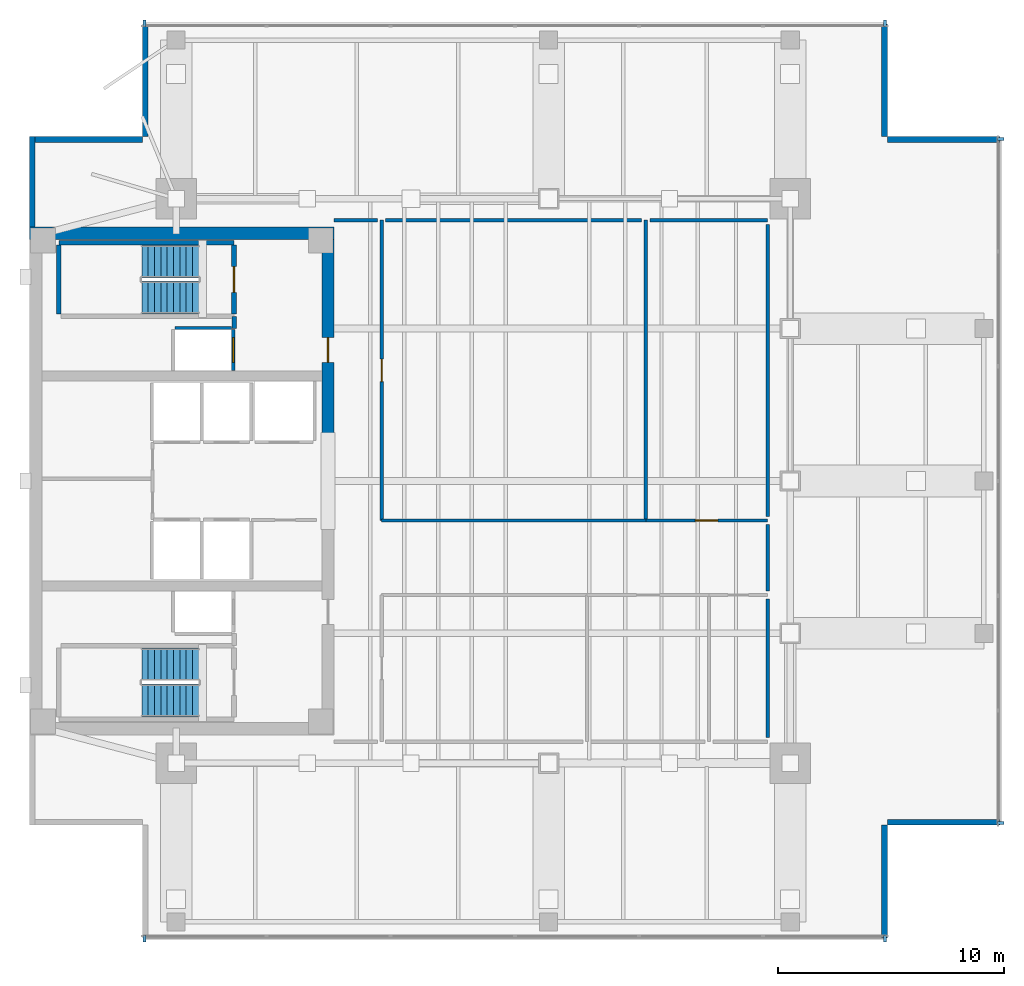
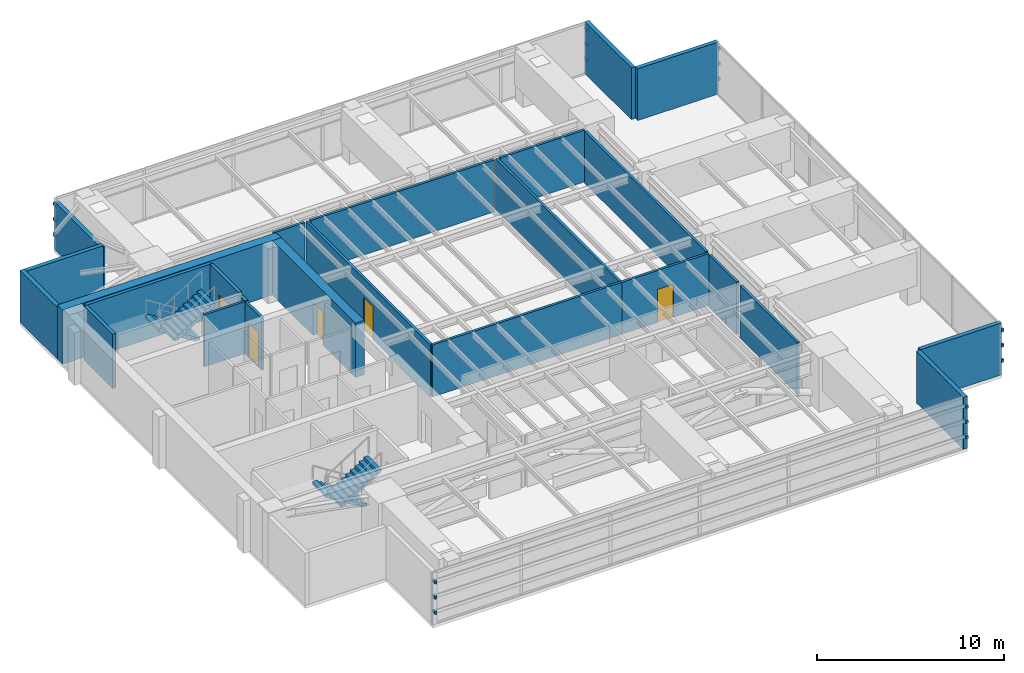
# One storey, part 9 of 13: 25 walls, 18 discrete accessories, 5 doors, 4 stair flights, 5 openings, 2 elements without a shape of their own.
"""IFC4 building model written with IfcOpenShell, lengths in metres."""

from ifc_helpers import new_model, si_unit, direction, frame, frame_2d, origin, origin_2d, place, context, subcontext, project, spatial, polyline, rectangle, outline, extrude, material, layer, layer_set, type_object, element, fill, aggregate, save


model = new_model("IFC4")

# Units and contexts
model_context = context("Model", 3, precision=1e-05, world=origin(), true_north=direction((0.0, 1.0)))
body_context = subcontext(model_context, "Body", "Model", "MODEL_VIEW")
ifc_project = project(units=[si_unit("LENGTHUNIT", "METRE"), si_unit("AREAUNIT", "SQUARE_METRE"), si_unit("VOLUMEUNIT", "CUBIC_METRE"), si_unit("PLANEANGLEUNIT", "RADIAN"), si_unit("MASSUNIT", "GRAM", prefix="KILO")], contexts=[model_context])

# Site, building, storey
site_placement = place(None, origin())
site = spatial("IfcSite", under=ifc_project, at=site_placement, CompositionType="ELEMENT")
building_placement = place(site_placement, origin())
building = spatial("IfcBuilding", under=site, at=building_placement, Name="Kinhvarn Gate Tower", CompositionType="ELEMENT")
storey_placement = place(building_placement, frame((0.0, 0.0, 241.300048828125)))
storey = spatial("IfcBuildingStorey", under=building, at=storey_placement, Name="L64", CompositionType="ELEMENT", Elevation=241.300048828125)

# Wall
ifc_material_1 = material(Name="Concrete C60/75", Category="concrete")
ifc_layer_1 = layer(ifc_material_1, 0.550048828125)
ifc_layer_set_1 = layer_set([ifc_layer_1], Name="Concrete C60/75")
wall_type_1 = type_object("IfcWallType", Name="WL-CORE-550", PredefinedType="SHEAR", material=ifc_layer_set_1)
wall_1_placement = place(storey_placement, frame((4.5, 36.22509765625, 0.0), z_axis=(0.0, 0.0, 1.0), x_axis=(1.0, 0.0, 0.0)))
element("IfcWall", 1, at=wall_1_placement, inside=storey, type_object=wall_type_1, Name="Core North Shear Wall L64 550 mm", PredefinedType="SHEAR", context=body_context, shape_type="SweptSolid", body=[
    extrude(rectangle(XDim=13.5, YDim=0.550048828125, at=frame_2d((6.75, 0.0))), origin(), (0.0, 0.0, 1.0), 3.550048828125),
])

# Wall, opening, door
wall_2_placement = place(storey_placement, frame((17.72509765625, 27.050048828125, 0.0), z_axis=(0.0, 0.0, 1.0), x_axis=(0.0, 1.0, 0.0)))
wall_2 = element("IfcWall", 2, at=wall_2_placement, inside=storey, type_object=wall_type_1, Name="Core East-North Shear Pier L64 550 mm", PredefinedType="SHEAR", context=body_context, shape_type="SweptSolid", body=[
    extrude(rectangle(XDim=8.89990234375, YDim=0.550048828125, at=frame_2d((4.449951171875, 0.0))), origin(), (0.0, 0.0, 1.0), 3.550048828125),
])
opening_1_placement = place(wall_2_placement, frame((3.449951171875, 0.0, 0.0)))
opening_1 = element("IfcOpeningElement", 3, at=opening_1_placement, cuts=wall_2, Name="Opening FD-02", PredefinedType="OPENING", context=body_context, shape_type="SweptSolid", body=[
    extrude(rectangle(XDim=1.10009765625, YDim=2.14990234375, at=frame_2d((0.550048828125, 1.074951171875))), frame((0.0, 0.28515625, 0.0), z_axis=(0.0, -1.0, 0.0), x_axis=(1.0, 0.0, 0.0)), (0.0, 0.0, 1.0), 0.570068359375),
])
ifc_material_2 = material(Name="Anodised aluminium AW-6063", Category="aluminium")
door_type_1 = type_object("IfcDoorType", Name="DR-FD-1100", OperationType="NOTDEFINED", PredefinedType="DOOR", material=ifc_material_2)
door_1_placement = place(opening_1_placement, origin())
door_1 = element("IfcDoor", 4, at=door_1_placement, inside=storey, type_object=door_type_1, Name="Firefighting Lobby Core Door (L64)", OperationType="SINGLE_SWING_LEFT", OverallHeight=2.14990234375, OverallWidth=1.10009765625, PredefinedType="DOOR", context=body_context, shape_type="SweptSolid", body=[
    extrude(rectangle(XDim=1.10009765625, YDim=2.14990234375, at=frame_2d((0.550048828125, 1.074951171875))), frame((0.0, 0.02490234375, 0.0), z_axis=(0.0, -1.0, 0.0), x_axis=(1.0, 0.0, 0.0)), (0.0, 0.0, 1.0), 0.050048828125),
])
fill(opening_1, door_1)

# Walls
ifc_material_3 = material(Name="Fired architectural terracotta", Category="masonry")
ifc_layer_2 = layer(ifc_material_3, 0.25)
ifc_layer_set_2 = layer_set([ifc_layer_2], Name="Fired architectural terracotta")
wall_type_2 = type_object("IfcWallType", Name="WL-EXT-250", PredefinedType="SOLIDWALL", material=ifc_layer_set_2)
wall_3_placement = place(storey_placement, frame((4.625, 40.5, 0.0), z_axis=(0.0, 0.0, 1.0), x_axis=(0.0, -1.0, 0.0)))
element("IfcWall", 5, at=wall_3_placement, inside=storey, type_object=wall_type_2, Name="Exterior Solidwall Wall EW-250 (L64 West-North)", PredefinedType="SOLIDWALL", context=body_context, shape_type="SweptSolid", body=[
    extrude(rectangle(XDim=4.0, YDim=0.25, at=frame_2d((2.0, 0.0))), origin(), (0.0, 0.0, 1.0), 3.389892578125),
])
for number, where, z_axis, x_axis, name in (
    (6, (42.375, 5.0, 0.0), (0.0, 0.0, 1.0), (0.0, 1.0, 0.0), "Exterior Solidwall Wall EW-250 (L64 SE-Notch-1)"),
    (7, (42.5, 10.125, 0.0), (0.0, 0.0, 1.0), (1.0, 0.0, 0.0), "Exterior Solidwall Wall EW-250 (L64 SE-Notch-2)"),
    (8, (47.5, 40.375, 0.0), (0.0, 0.0, 1.0), (-1.0, 0.0, 0.0), "Exterior Solidwall Wall EW-250 (L64 NE-Notch-1)"),
    (9, (42.375, 40.5, 0.0), (0.0, 0.0, 1.0), (0.0, 1.0, 0.0), "Exterior Solidwall Wall EW-250 (L64 NE-Notch-2)"),
):
    element("IfcWall", number, at=place(storey_placement, frame(where, z_axis=z_axis, x_axis=x_axis)), inside=storey, type_object=wall_type_2, Name=name, PredefinedType="SOLIDWALL", context=body_context, shape_type="SweptSolid", body=[
        extrude(rectangle(XDim=5.0, YDim=0.25, at=frame_2d((2.5, 0.0))), origin(), (0.0, 0.0, 1.0), 3.389892578125),
    ])
wall_4_placement = place(storey_placement, frame((9.625, 45.5, 0.0), z_axis=(0.0, 0.0, 1.0), x_axis=(0.0, -1.0, 0.0)))
element("IfcWall", 10, at=wall_4_placement, inside=storey, type_object=wall_type_2, Name="Exterior Solidwall Wall EW-250 (L64 NW-Notch-1)", PredefinedType="SOLIDWALL", context=body_context, shape_type="SweptSolid", body=[
    extrude(rectangle(XDim=5.0, YDim=0.25, at=frame_2d((2.5, 0.0))), origin(), (0.0, 0.0, 1.0), 3.08984375),
])
wall_5_placement = place(storey_placement, frame((9.5, 40.375, 0.0), z_axis=(0.0, 0.0, 1.0), x_axis=(-1.0, 0.0, 0.0)))
element("IfcWall", 11, at=wall_5_placement, inside=storey, type_object=wall_type_2, Name="Exterior Solidwall Wall EW-250 (L64 NW-Notch-2)", PredefinedType="SOLIDWALL", context=body_context, shape_type="SweptSolid", body=[
    extrude(rectangle(XDim=5.0, YDim=0.25, at=frame_2d((2.5, 0.0))), origin(), (0.0, 0.0, 1.0), 3.389892578125),
])

# Wall, opening, door
ifc_material_4 = material(Name="Gypsum acoustic partition board")
ifc_layer_3 = layer(ifc_material_4, 0.14990234375)
ifc_layer_set_3 = layer_set([ifc_layer_3], Name="Gypsum acoustic partition board")
wall_type_3 = type_object("IfcWallType", Name="WL-PRT-150F", PredefinedType="PARTITIONING", material=ifc_layer_set_3)
wall_6_placement = place(storey_placement, frame((20.10009765625, 23.5, 0.0), z_axis=(0.0, 0.0, 1.0), x_axis=(0.0, 1.0, 0.0)))
wall_6 = element("IfcWall", 12, at=wall_6_placement, inside=storey, type_object=wall_type_3, Name="Interior Partition PW-150F (L64)", PredefinedType="PARTITIONING", context=body_context, shape_type="SweptSolid", body=[
    extrude(rectangle(XDim=13.300048828125, YDim=0.14990234375, at=frame_2d((6.64990234375, 0.0))), origin(), (0.0, 0.0, 1.0), 3.389892578125),
])
opening_2_placement = place(wall_6_placement, frame((6.14990234375, 0.0, 0.0)))
opening_2 = element("IfcOpeningElement", 13, at=opening_2_placement, cuts=wall_6, Name="Opening FD-03", PredefinedType="OPENING", context=body_context, shape_type="SweptSolid", body=[
    extrude(rectangle(XDim=1.0, YDim=2.14990234375, at=frame_2d((0.5, 1.074951171875))), frame((0.0, 0.0849609375, 0.0), z_axis=(0.0, -1.0, 0.0), x_axis=(1.0, 0.0, 0.0)), (0.0, 0.0, 1.0), 0.169921875),
])
door_type_2 = type_object("IfcDoorType", Name="DR-FD-1000", OperationType="NOTDEFINED", PredefinedType="DOOR", material=ifc_material_2)
door_2_placement = place(opening_2_placement, origin())
door_2 = element("IfcDoor", 14, at=door_2_placement, inside=storey, type_object=door_type_2, Name="Rated Plant & Corridor Fire Door 1000x2150 mm (L64)", OperationType="SINGLE_SWING_RIGHT", OverallHeight=2.14990234375, OverallWidth=1.0, PredefinedType="DOOR", context=body_context, shape_type="SweptSolid", body=[
    extrude(rectangle(XDim=1.0, YDim=2.14990234375, at=frame_2d((0.5, 1.074951171875))), frame((0.0, 0.02490234375, 0.0), z_axis=(0.0, -1.0, 0.0), x_axis=(1.0, 0.0, 0.0)), (0.0, 0.0, 1.0), 0.050048828125),
])
fill(opening_2, door_2)

wall_7_placement = place(storey_placement, frame((31.800048828125, 23.5, 0.0), z_axis=(0.0, 0.0, 1.0), x_axis=(1.0, 0.0, 0.0)))
wall_7 = element("IfcWall", 15, at=wall_7_placement, inside=storey, type_object=wall_type_3, Name="Interior Partition PW-150F (L64)", PredefinedType="PARTITIONING", context=body_context, shape_type="SweptSolid", body=[
    extrude(rectangle(XDim=5.39990234375, YDim=0.14990234375, at=frame_2d((2.699951171875, 0.0))), origin(), (0.0, 0.0, 1.0), 3.389892578125),
])
opening_3_placement = place(wall_7_placement, frame((2.199951171875, 0.0, 0.0)))
opening_3 = element("IfcOpeningElement", 16, at=opening_3_placement, cuts=wall_7, Name="Opening FD-03", PredefinedType="OPENING", context=body_context, shape_type="SweptSolid", body=[
    extrude(rectangle(XDim=1.0, YDim=2.14990234375, at=frame_2d((0.5, 1.074951171875))), frame((0.0, 0.0849609375, 0.0), z_axis=(0.0, -1.0, 0.0), x_axis=(1.0, 0.0, 0.0)), (0.0, 0.0, 1.0), 0.169921875),
])
door_3_placement = place(opening_3_placement, origin())
door_3 = element("IfcDoor", 17, at=door_3_placement, inside=storey, type_object=door_type_2, Name="Rated Plant & Corridor Fire Door 1000x2150 mm (L64)", OperationType="SINGLE_SWING_LEFT", OverallHeight=2.14990234375, OverallWidth=1.0, PredefinedType="DOOR", context=body_context, shape_type="SweptSolid", body=[
    extrude(rectangle(XDim=1.0, YDim=2.14990234375, at=frame_2d((0.5, 1.074951171875))), frame((0.0, 0.02490234375, 0.0), z_axis=(0.0, -1.0, 0.0), x_axis=(1.0, 0.0, 0.0)), (0.0, 0.0, 1.0), 0.050048828125),
])
fill(opening_3, door_3)

# Walls
wall_8_placement = place(storey_placement, frame((20.10009765625, 23.5, 0.0), z_axis=(0.0, 0.0, 1.0), x_axis=(1.0, 0.0, 0.0)))
element("IfcWall", 18, at=wall_8_placement, inside=storey, type_object=wall_type_3, Name="Interior Partition PW-150F (L64)", PredefinedType="PARTITIONING", context=body_context, shape_type="SweptSolid", body=[
    extrude(rectangle(XDim=11.699951171875, YDim=0.14990234375, at=frame_2d((5.85009765625, 0.0))), origin(), (0.0, 0.0, 1.0), 3.389892578125),
])
wall_9_placement = place(storey_placement, frame((31.800048828125, 23.5, 0.0), z_axis=(0.0, 0.0, 1.0), x_axis=(0.0, 1.0, 0.0)))
element("IfcWall", 19, at=wall_9_placement, inside=storey, type_object=wall_type_3, Name="Interior Partition PW-150F (L64)", PredefinedType="PARTITIONING", context=body_context, shape_type="SweptSolid", body=[
    extrude(rectangle(XDim=13.300048828125, YDim=0.14990234375, at=frame_2d((6.64990234375, 0.0))), origin(), (0.0, 0.0, 1.0), 3.389892578125),
])
wall_10_placement = place(storey_placement, frame((18.0, 36.800048828125, 0.0), z_axis=(0.0, 0.0, 1.0), x_axis=(1.0, 0.0, 0.0)))
element("IfcWall", 20, at=wall_10_placement, inside=storey, type_object=wall_type_3, Name="Interior Partition PW-150F (L64)", PredefinedType="PARTITIONING", context=body_context, shape_type="SweptSolid", body=[
    extrude(rectangle(XDim=1.919921875, YDim=0.14990234375, at=frame_2d((0.9599609375, 0.0))), origin(), (0.0, 0.0, 1.0), 3.389892578125),
])
wall_11_placement = place(storey_placement, frame((20.280029296875, 36.800048828125, 0.0), z_axis=(0.0, 0.0, 1.0), x_axis=(1.0, 0.0, 0.0)))
element("IfcWall", 21, at=wall_11_placement, inside=storey, type_object=wall_type_3, Name="Interior Partition PW-150F (L64)", PredefinedType="PARTITIONING", context=body_context, shape_type="SweptSolid", body=[
    extrude(rectangle(XDim=11.340087890625, YDim=0.14990234375, at=frame_2d((5.669921875, 0.0))), origin(), (0.0, 0.0, 1.0), 3.389892578125),
])
wall_12_placement = place(storey_placement, frame((31.97998046875, 36.800048828125, 0.0), z_axis=(0.0, 0.0, 1.0), x_axis=(1.0, 0.0, 0.0)))
element("IfcWall", 22, at=wall_12_placement, inside=storey, type_object=wall_type_3, Name="Interior Partition PW-150F (L64)", PredefinedType="PARTITIONING", context=body_context, shape_type="SweptSolid", body=[
    extrude(rectangle(XDim=5.219970703125, YDim=0.14990234375, at=frame_2d((2.60986328125, 0.0))), origin(), (0.0, 0.0, 1.0), 3.389892578125),
])
wall_13_placement = place(storey_placement, frame((37.199951171875, 36.6201171875, 0.0), z_axis=(0.0, 0.0, 1.0), x_axis=(0.0, -1.0, 0.0)))
element("IfcWall", 23, at=wall_13_placement, inside=storey, type_object=wall_type_3, Name="Interior Partition PW-150F (L64)", PredefinedType="PARTITIONING", context=body_context, shape_type="SweptSolid", body=[
    extrude(rectangle(XDim=12.940185546875, YDim=0.14990234375, at=frame_2d((6.47021484375, 0.0))), origin(), (0.0, 0.0, 1.0), 3.389892578125),
])
wall_14_placement = place(storey_placement, frame((37.199951171875, 23.320068359375, 0.0), z_axis=(0.0, 0.0, 1.0), x_axis=(0.0, -1.0, 0.0)))
element("IfcWall", 24, at=wall_14_placement, inside=storey, type_object=wall_type_3, Name="Interior Partition PW-150F (L64)", PredefinedType="PARTITIONING", context=body_context, shape_type="SweptSolid", body=[
    extrude(rectangle(XDim=2.940185546875, YDim=0.14990234375, at=frame_2d((1.47021484375, 0.0))), origin(), (0.0, 0.0, 1.0), 3.389892578125),
])
wall_15_placement = place(storey_placement, frame((37.199951171875, 20.02001953125, 0.0), z_axis=(0.0, 0.0, 1.0), x_axis=(0.0, -1.0, 0.0)))
element("IfcWall", 25, at=wall_15_placement, inside=storey, type_object=wall_type_3, Name="Interior Partition PW-150F (L64)", PredefinedType="PARTITIONING", context=body_context, shape_type="SweptSolid", body=[
    extrude(rectangle(XDim=6.14013671875, YDim=0.14990234375, at=frame_2d((3.070068359375, 0.0))), origin(), (0.0, 0.0, 1.0), 3.389892578125),
])
ifc_layer_4 = layer(ifc_material_4, 0.199951171875)
ifc_layer_set_4 = layer_set([ifc_layer_4], Name="Gypsum acoustic partition board")
wall_type_4 = type_object("IfcWallType", Name="WL-PRT-200", PredefinedType="PARTITIONING", material=ifc_layer_set_4)
wall_16_placement = place(storey_placement, frame((13.580078125, 32.0, 0.0), z_axis=(0.0, 0.0, 1.0), x_axis=(0.0, 1.0, 0.0)))
element("IfcWall", 26, at=wall_16_placement, inside=storey, type_object=wall_type_4, Name="Interior Partition PW-200 (L64)", PredefinedType="PARTITIONING", context=body_context, shape_type="SweptSolid", body=[
    extrude(rectangle(XDim=0.5400390625, YDim=0.199951171875, at=frame_2d((0.27001953125, 0.0))), origin(), (0.0, 0.0, 1.0), 3.389892578125),
])
ifc_layer_5 = layer(ifc_material_4, 0.14990234375)
ifc_layer_set_5 = layer_set([ifc_layer_5], Name="Gypsum acoustic partition board")
wall_type_5 = type_object("IfcWallType", Name="WL-SHF-150", PredefinedType="PARTITIONING", material=ifc_layer_set_5)
wall_17_placement = place(storey_placement, frame((10.949951171875, 32.02490234375, 0.0), z_axis=(0.0, 0.0, 1.0), x_axis=(1.0, 0.0, 0.0)))
element("IfcWall", 27, at=wall_17_placement, inside=storey, type_object=wall_type_5, Name="Elevator FF2 Hoistway Wall N (L64)", PredefinedType="PARTITIONING", context=body_context, shape_type="SweptSolid", body=[
    extrude(rectangle(XDim=2.5, YDim=0.14990234375, at=frame_2d((1.25, 0.0))), origin(), (0.0, 0.0, 1.0), 3.389892578125),
])

# Wall, opening, door
wall_18_placement = place(storey_placement, frame((13.52490234375, 30.14990234375, 0.0), z_axis=(0.0, 0.0, 1.0), x_axis=(0.0, 1.0, 0.0)))
wall_18 = element("IfcWall", 28, at=wall_18_placement, inside=storey, type_object=wall_type_5, Name="Elevator FF2 Landing Wall (L64)", PredefinedType="PARTITIONING", context=body_context, shape_type="SweptSolid", body=[
    extrude(rectangle(XDim=1.800048828125, YDim=0.14990234375, at=frame_2d((0.89990234375, 0.0))), origin(), (0.0, 0.0, 1.0), 3.389892578125),
])
opening_4_placement = place(wall_18_placement, frame((0.35009765625, 0.0, 0.0)))
opening_4 = element("IfcOpeningElement", 29, at=opening_4_placement, cuts=wall_18, Name="Opening LD-03", PredefinedType="OPENING", context=body_context, shape_type="SweptSolid", body=[
    extrude(rectangle(XDim=1.10009765625, YDim=2.199951171875, at=frame_2d((0.550048828125, 1.10009765625))), frame((0.0, 0.0849609375, 0.0), z_axis=(0.0, -1.0, 0.0), x_axis=(1.0, 0.0, 0.0)), (0.0, 0.0, 1.0), 0.169921875),
])
door_type_3 = type_object("IfcDoorType", Name="DR-LND-FF", OperationType="NOTDEFINED", PredefinedType="DOOR", material=ifc_material_2)
door_4_placement = place(opening_4_placement, origin())
door_4 = element("IfcDoor", 30, at=door_4_placement, inside=storey, type_object=door_type_3, Name="Elevator FF2 Sliding Landing Door (L64)", OperationType="DOUBLE_DOOR_SLIDING", OverallHeight=2.199951171875, OverallWidth=1.10009765625, PredefinedType="DOOR", context=body_context, shape_type="SweptSolid", body=[
    extrude(rectangle(XDim=1.10009765625, YDim=2.199951171875, at=frame_2d((0.550048828125, 1.10009765625))), frame((0.0, 0.02490234375, 0.0), z_axis=(0.0, -1.0, 0.0), x_axis=(1.0, 0.0, 0.0)), (0.0, 0.0, 1.0), 0.050048828125),
])
fill(opening_4, door_4)

# Walls
ifc_material_5 = material(Name="Concrete C40/50", Category="concrete")
ifc_layer_6 = layer(ifc_material_5, 0.199951171875)
ifc_layer_set_6 = layer_set([ifc_layer_6], Name="Concrete C40/50")
wall_type_6 = type_object("IfcWallType", Name="WL-SHF-200", PredefinedType="SOLIDWALL", material=ifc_layer_set_6)
wall_19_placement = place(storey_placement, frame((5.800048828125, 35.800048828125, 0.0), z_axis=(0.0, 0.0, 1.0), x_axis=(1.0, 0.0, 0.0)))
element("IfcWall", 31, at=wall_19_placement, inside=storey, type_object=wall_type_6, Name="Stair ST2 North Shaft Wall (L64)", PredefinedType="SOLIDWALL", context=body_context, shape_type="SweptSolid", body=[
    extrude(rectangle(XDim=7.75, YDim=0.199951171875, at=frame_2d((3.875, 0.0))), origin(), (0.0, 0.0, 1.0), 3.550048828125),
])
wall_20_placement = place(storey_placement, frame((5.7900390625, 32.64990234375, 0.0), z_axis=(0.0, 0.0, 1.0), x_axis=(0.0, 1.0, 0.0)))
element("IfcWall", 32, at=wall_20_placement, inside=storey, type_object=wall_type_6, Name="Stair ST2 West Shaft Wall (L64)", PredefinedType="SOLIDWALL", context=body_context, shape_type="SweptSolid", body=[
    extrude(rectangle(XDim=3.050048828125, YDim=0.199951171875, at=frame_2d((1.52490234375, 0.0))), origin(), (0.0, 0.0, 1.0), 3.550048828125),
])

# Wall, opening, door
wall_21_placement = place(storey_placement, frame((13.56005859375, 32.64990234375, 0.0), z_axis=(0.0, 0.0, 1.0), x_axis=(0.0, 1.0, 0.0)))
wall_21 = element("IfcWall", 33, at=wall_21_placement, inside=storey, type_object=wall_type_6, Name="Stair ST2 East Entry Wall (L64)", PredefinedType="SOLIDWALL", context=body_context, shape_type="SweptSolid", body=[
    extrude(rectangle(XDim=3.050048828125, YDim=0.199951171875, at=frame_2d((1.52490234375, 0.0))), origin(), (0.0, 0.0, 1.0), 3.550048828125),
])
opening_5_placement = place(wall_21_placement, frame((0.949951171875, 0.0, 0.0)))
opening_5 = element("IfcOpeningElement", 34, at=opening_5_placement, cuts=wall_21, Name="Opening FD-01", PredefinedType="OPENING", context=body_context, shape_type="SweptSolid", body=[
    extrude(rectangle(XDim=1.14990234375, YDim=2.14990234375, at=frame_2d((0.574951171875, 1.074951171875))), frame((0.0, 0.10986328125, 0.0), z_axis=(0.0, -1.0, 0.0), x_axis=(1.0, 0.0, 0.0)), (0.0, 0.0, 1.0), 0.219970703125),
])
door_type_4 = type_object("IfcDoorType", Name="DR-ST-1150", OperationType="NOTDEFINED", PredefinedType="DOOR", material=ifc_material_2)
door_5_placement = place(opening_5_placement, origin())
door_5 = element("IfcDoor", 35, at=door_5_placement, inside=storey, type_object=door_type_4, Name="Exit Stair ST2 Fire Door (L64)", OperationType="SINGLE_SWING_LEFT", OverallHeight=2.14990234375, OverallWidth=1.14990234375, PredefinedType="DOOR", context=body_context, shape_type="SweptSolid", body=[
    extrude(rectangle(XDim=1.14990234375, YDim=2.14990234375, at=frame_2d((0.574951171875, 1.074951171875))), frame((0.0, 0.02490234375, 0.0), z_axis=(0.0, -1.0, 0.0), x_axis=(1.0, 0.0, 0.0)), (0.0, 0.0, 1.0), 0.050048828125),
])
fill(opening_5, door_5)

# Stair, stair flights
stair_type = type_object("IfcStairType", Name="STR-DLG-177", PredefinedType="HALF_TURN_STAIR", material=ifc_material_5)
stair_1_placement = place(storey_placement, origin())
stair_1 = element("IfcStair", 36, at=stair_1_placement, inside=storey, type_object=stair_type, Name="L64 Core Smokeproof Exit Stair ST1", PredefinedType="HALF_TURN_STAIR")
stair_flight_type = type_object("IfcStairFlightType", Name="STF-DLG-177", PredefinedType="STRAIGHT", material=ifc_material_5)
stair_flight_1_placement = place(storey_placement, frame((12.0, 17.125, 0.0), z_axis=(0.0, 0.0, 1.0), x_axis=(-1.0, 0.0, 0.0)))
stair_flight_1 = element("IfcStairFlight", 37, at=stair_flight_1_placement, type_object=stair_flight_type, Name="ST1 flight 1", NumberOfRisers=10, NumberOfTreads=9, PredefinedType="STRAIGHT", RiserHeight=0.1775, TreadLength=0.28, context=body_context, shape_type="SweptSolid", body=[
    extrude(outline(polyline([(0.0, 0.0), (0.0, 0.177490234375), (0.280029296875, 0.177490234375), (0.280029296875, 0.35498046875), (0.56005859375, 0.35498046875), (0.56005859375, 0.532470703125), (0.840087890625, 0.532470703125), (0.840087890625, 0.7099609375), (1.1201171875, 0.7099609375), (1.1201171875, 0.887451171875), (1.39990234375, 0.887451171875), (1.39990234375, 1.06494140625), (1.679931640625, 1.06494140625), (1.679931640625, 1.242431640625), (1.9599609375, 1.242431640625), (1.9599609375, 1.419921875), (2.239990234375, 1.419921875), (2.239990234375, 1.597412109375), (2.52001953125, 1.597412109375), (2.52001953125, 1.77490234375), (2.52001953125, 1.419921875), (0.280029296875, 0.0), (0.0, 0.0)])), frame((0.0, 0.72509765625, 0.0), z_axis=(0.0, -1.0, 0.0), x_axis=(1.0, 0.0, 0.0)), (0.0, 0.0, 1.0), 1.449951171875),
])
stair_flight_2_placement = place(storey_placement, frame((9.47998046875, 15.52490234375, 1.77490234375), z_axis=(0.0, 0.0, 1.0), x_axis=(1.0, 0.0, 0.0)))
stair_flight_2 = element("IfcStairFlight", 38, at=stair_flight_2_placement, type_object=stair_flight_type, Name="ST1 flight 2", NumberOfRisers=10, NumberOfTreads=9, PredefinedType="STRAIGHT", RiserHeight=0.1775, TreadLength=0.28, context=body_context, shape_type="SweptSolid", body=[
    extrude(outline(polyline([(0.0, 0.0), (0.0, 0.177490234375), (0.280029296875, 0.177490234375), (0.280029296875, 0.35498046875), (0.56005859375, 0.35498046875), (0.56005859375, 0.532470703125), (0.840087890625, 0.532470703125), (0.840087890625, 0.7099609375), (1.1201171875, 0.7099609375), (1.1201171875, 0.887451171875), (1.39990234375, 0.887451171875), (1.39990234375, 1.06494140625), (1.679931640625, 1.06494140625), (1.679931640625, 1.242431640625), (1.9599609375, 1.242431640625), (1.9599609375, 1.419921875), (2.239990234375, 1.419921875), (2.239990234375, 1.597412109375), (2.52001953125, 1.597412109375), (2.52001953125, 1.77490234375), (2.52001953125, 1.419921875), (0.280029296875, 0.0), (0.0, 0.0)])), frame((0.0, 0.72509765625, 0.0), z_axis=(0.0, -1.0, 0.0), x_axis=(1.0, 0.0, 0.0)), (0.0, 0.0, 1.0), 1.449951171875),
])
aggregate(stair_1, [stair_flight_1, stair_flight_2])

stair_2_placement = place(storey_placement, origin())
stair_2 = element("IfcStair", 39, at=stair_2_placement, inside=storey, type_object=stair_type, Name="L64 Core Smokeproof Exit Stair ST2", PredefinedType="HALF_TURN_STAIR")
stair_flight_3_placement = place(storey_placement, frame((12.0, 34.97509765625, 0.0), z_axis=(0.0, 0.0, 1.0), x_axis=(-1.0, 0.0, 0.0)))
stair_flight_3 = element("IfcStairFlight", 40, at=stair_flight_3_placement, type_object=stair_flight_type, Name="ST2 flight 1", NumberOfRisers=10, NumberOfTreads=9, PredefinedType="STRAIGHT", RiserHeight=0.1775, TreadLength=0.28, context=body_context, shape_type="SweptSolid", body=[
    extrude(outline(polyline([(0.0, 0.0), (0.0, 0.177490234375), (0.280029296875, 0.177490234375), (0.280029296875, 0.35498046875), (0.56005859375, 0.35498046875), (0.56005859375, 0.532470703125), (0.840087890625, 0.532470703125), (0.840087890625, 0.7099609375), (1.1201171875, 0.7099609375), (1.1201171875, 0.887451171875), (1.39990234375, 0.887451171875), (1.39990234375, 1.06494140625), (1.679931640625, 1.06494140625), (1.679931640625, 1.242431640625), (1.9599609375, 1.242431640625), (1.9599609375, 1.419921875), (2.239990234375, 1.419921875), (2.239990234375, 1.597412109375), (2.52001953125, 1.597412109375), (2.52001953125, 1.77490234375), (2.52001953125, 1.419921875), (0.280029296875, 0.0), (0.0, 0.0)])), frame((0.0, 0.72509765625, 0.0), z_axis=(0.0, -1.0, 0.0), x_axis=(1.0, 0.0, 0.0)), (0.0, 0.0, 1.0), 1.449951171875),
])
stair_flight_4_placement = place(storey_placement, frame((9.47998046875, 33.375, 1.77490234375), z_axis=(0.0, 0.0, 1.0), x_axis=(1.0, 0.0, 0.0)))
stair_flight_4 = element("IfcStairFlight", 41, at=stair_flight_4_placement, type_object=stair_flight_type, Name="ST2 flight 2", NumberOfRisers=10, NumberOfTreads=9, PredefinedType="STRAIGHT", RiserHeight=0.1775, TreadLength=0.28, context=body_context, shape_type="SweptSolid", body=[
    extrude(outline(polyline([(0.0, 0.0), (0.0, 0.177490234375), (0.280029296875, 0.177490234375), (0.280029296875, 0.35498046875), (0.56005859375, 0.35498046875), (0.56005859375, 0.532470703125), (0.840087890625, 0.532470703125), (0.840087890625, 0.7099609375), (1.1201171875, 0.7099609375), (1.1201171875, 0.887451171875), (1.39990234375, 0.887451171875), (1.39990234375, 1.06494140625), (1.679931640625, 1.06494140625), (1.679931640625, 1.242431640625), (1.9599609375, 1.242431640625), (1.9599609375, 1.419921875), (2.239990234375, 1.419921875), (2.239990234375, 1.597412109375), (2.52001953125, 1.597412109375), (2.52001953125, 1.77490234375), (2.52001953125, 1.419921875), (0.280029296875, 0.0), (0.0, 0.0)])), frame((0.0, 0.72509765625, 0.0), z_axis=(0.0, -1.0, 0.0), x_axis=(1.0, 0.0, 0.0)), (0.0, 0.0, 1.0), 1.449951171875),
])
aggregate(stair_2, [stair_flight_3, stair_flight_4])

# Discrete accessories
discrete_accessory_type = type_object("IfcDiscreteAccessoryType", Name="ACC-BRK-01", PredefinedType="BRACKET", material=ifc_material_2)
for number, where, z_axis, x_axis, name in (
    (42, (9.60009765625, 4.969970703125, 0.759765625), (0.0, 0.0, 1.0), (1.0, 0.0, 0.0), "Baguette Support Bracket BK-01 (L64)"),
    (43, (9.60009765625, 4.969970703125, 1.759765625), (0.0, 0.0, 1.0), (1.0, 0.0, 0.0), "Baguette Support Bracket BK-01 (L64)"),
    (44, (9.60009765625, 4.969970703125, 2.75), (0.0, 0.0, 1.0), (1.0, 0.0, 0.0), "Baguette Support Bracket BK-01 (L64)"),
    (45, (42.39990234375, 4.969970703125, 0.759765625), (0.0, 0.0, 1.0), (1.0, 0.0, 0.0), "Baguette Support Bracket BK-01 (L64)"),
    (46, (42.39990234375, 4.969970703125, 1.759765625), (0.0, 0.0, 1.0), (1.0, 0.0, 0.0), "Baguette Support Bracket BK-01 (L64)"),
    (47, (42.39990234375, 4.969970703125, 2.75), (0.0, 0.0, 1.0), (1.0, 0.0, 0.0), "Baguette Support Bracket BK-01 (L64)"),
    (48, (42.39990234375, 45.530029296875, 0.759765625), (0.0, 0.0, 1.0), (-1.0, 0.0, 0.0), "Baguette Support Bracket BK-01 (L64)"),
    (49, (42.39990234375, 45.530029296875, 1.759765625), (0.0, 0.0, 1.0), (-1.0, 0.0, 0.0), "Baguette Support Bracket BK-01 (L64)"),
    (50, (42.39990234375, 45.530029296875, 2.75), (0.0, 0.0, 1.0), (-1.0, 0.0, 0.0), "Baguette Support Bracket BK-01 (L64)"),
    (51, (9.60009765625, 45.530029296875, 0.759765625), (0.0, 0.0, 1.0), (-1.0, 0.0, 0.0), "Baguette Support Bracket BK-01 (L64)"),
    (52, (9.60009765625, 45.530029296875, 1.759765625), (0.0, 0.0, 1.0), (-1.0, 0.0, 0.0), "Baguette Support Bracket BK-01 (L64)"),
    (53, (9.60009765625, 45.530029296875, 2.75), (0.0, 0.0, 1.0), (-1.0, 0.0, 0.0), "Baguette Support Bracket BK-01 (L64)"),
    (54, (47.530029296875, 10.10009765625, 0.759765625), (0.0, 0.0, 1.0), (0.0, 1.0, 0.0), "Baguette Support Bracket BK-01 (L64)"),
    (55, (47.530029296875, 10.10009765625, 1.759765625), (0.0, 0.0, 1.0), (0.0, 1.0, 0.0), "Baguette Support Bracket BK-01 (L64)"),
    (56, (47.530029296875, 10.10009765625, 2.75), (0.0, 0.0, 1.0), (0.0, 1.0, 0.0), "Baguette Support Bracket BK-01 (L64)"),
    (57, (47.530029296875, 40.39990234375, 0.759765625), (0.0, 0.0, 1.0), (0.0, 1.0, 0.0), "Baguette Support Bracket BK-01 (L64)"),
    (58, (47.530029296875, 40.39990234375, 1.759765625), (0.0, 0.0, 1.0), (0.0, 1.0, 0.0), "Baguette Support Bracket BK-01 (L64)"),
    (59, (47.530029296875, 40.39990234375, 2.75), (0.0, 0.0, 1.0), (0.0, 1.0, 0.0), "Baguette Support Bracket BK-01 (L64)"),
):
    element("IfcDiscreteAccessory", number, at=place(storey_placement, frame(where, z_axis=z_axis, x_axis=x_axis)), inside=storey, type_object=discrete_accessory_type, Name=name, PredefinedType="BRACKET", context=body_context, shape_type="SweptSolid", body=[
        extrude(rectangle(XDim=0.139892578125, YDim=0.280029296875, at=origin_2d()), origin(), (0.0, 0.0, 1.0), 0.179931640625),
    ])

save(model, "model.ifc")
